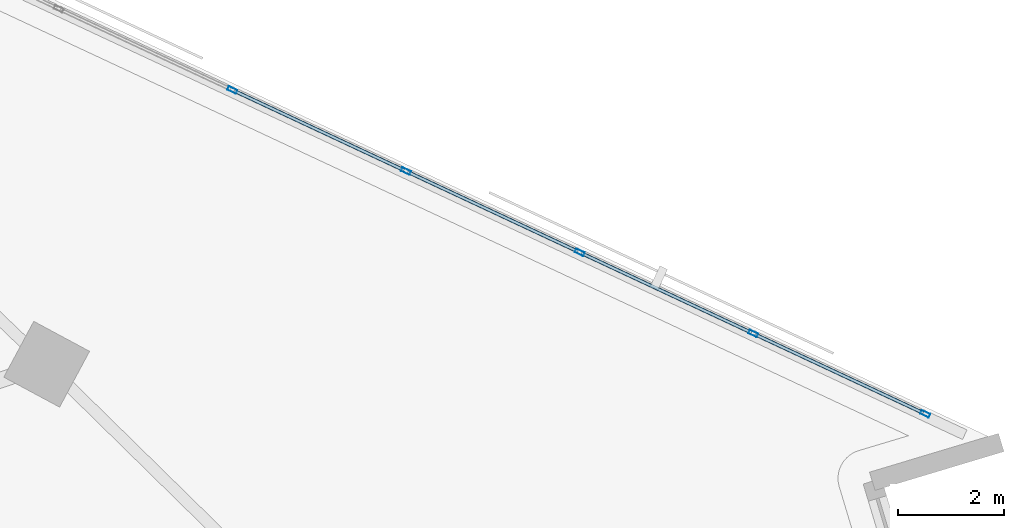
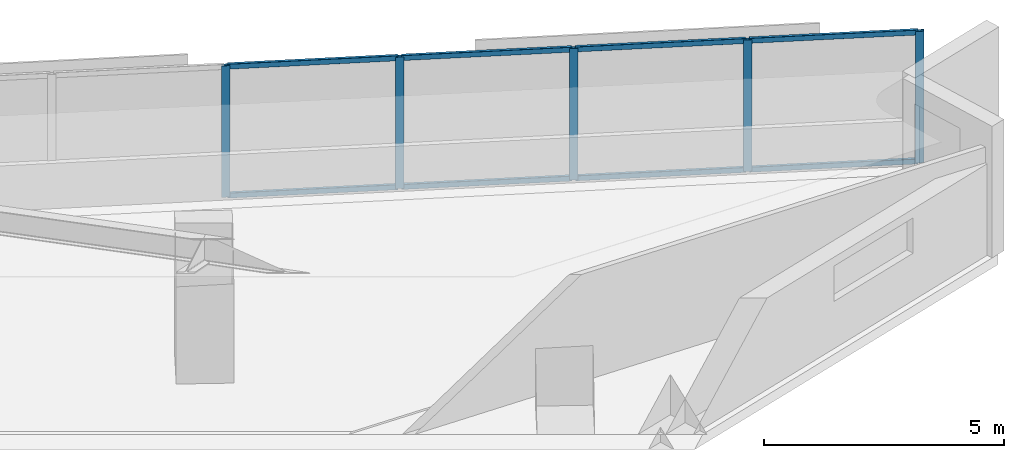
# One storey, part 5 of 16: 13 members, 1 element without a shape of its own.
"""IFC4 building model written with IfcOpenShell, lengths in metres."""

from ifc_helpers import new_model, si_unit, direction, frame, origin, origin_2d, place, context, subcontext, project, spatial, hollow_rectangle, extrude, material, material_profile, profile_set, type_object, element, aggregate, save


model = new_model("IFC4")

# Units and contexts
model_context = context("Model", 3, precision=1e-05, world=origin(), true_north=direction((0.0, 1.0)))
body_context = subcontext(model_context, "Body", "Model", "MODEL_VIEW")
ifc_project = project(units=[si_unit("LENGTHUNIT", "METRE"), si_unit("AREAUNIT", "SQUARE_METRE"), si_unit("VOLUMEUNIT", "CUBIC_METRE"), si_unit("PLANEANGLEUNIT", "RADIAN"), si_unit("MASSUNIT", "GRAM", prefix="KILO")], contexts=[model_context])

# Site, building, storey
site_placement = place(None, origin())
site = spatial("IfcSite", under=ifc_project, at=site_placement, CompositionType="ELEMENT")
building_placement = place(site_placement, origin())
building = spatial("IfcBuilding", under=site, at=building_placement, Name="Narakoshi Arena Tower", CompositionType="ELEMENT")
storey_placement = place(building_placement, frame((0.0, 0.0, 153.89990234375)))
storey = spatial("IfcBuildingStorey", under=building, at=storey_placement, Name="L41", CompositionType="ELEMENT", Elevation=153.89990234375)

# Curtain wall, members
ifc_material = material(Name="Anodised bronze aluminium 6063-T6", Category="aluminium")
curtain_wall_type = type_object("IfcCurtainWallType", Name="CW-HYP-MID", PredefinedType="NOTDEFINED", material=ifc_material)
curtain_wall_placement = place(storey_placement, origin())
curtain_wall = element("IfcCurtainWall", 1, at=curtain_wall_placement, inside=storey, type_object=curtain_wall_type, Name="L41 Folded Hypotenuse Curtain Wall 1-1", PredefinedType="NOTDEFINED")
ifc_material_profile_1 = material_profile(ifc_material, hollow_rectangle(XDim=0.074951171875, YDim=0.179931640625, WallThickness=0.00390625, OuterFilletRadius=0.0048828125, at=origin_2d()), Name="MUL180x75x4")
ifc_profile_set_1 = profile_set([ifc_material_profile_1], Name="Anodised bronze aluminium 6063-T6")
member_type_1 = type_object("IfcMemberType", Name="MEM-MUL-180", PredefinedType="MULLION", material=ifc_profile_set_1)
member_1_placement = place(storey_placement, frame((119.174072265625, 48.238525390625, 0.0), z_axis=(0.0, 0.0, 1.0), x_axis=(-0.423531721612, -0.905881273009, 0.0)))
member_1 = element("IfcMember", 2, at=member_1_placement, type_object=member_type_1, Name="CW-02 mullion 1", PredefinedType="MULLION", context=body_context, shape_type="SweptSolid", body=[
    extrude(hollow_rectangle(XDim=0.074951171875, YDim=0.179931640625, WallThickness=0.00390625, OuterFilletRadius=0.0048828125, at=origin_2d()), origin(), (0.0, 0.0, 1.0), 3.340087890625),
])
member_2_placement = place(storey_placement, frame((115.91650390625, 49.761474609375, 0.0), z_axis=(0.0, 0.0, 1.0), x_axis=(-0.423531721612, -0.905881273009, 0.0)))
member_2 = element("IfcMember", 3, at=member_2_placement, type_object=member_type_1, Name="CW-02 mullion 2", PredefinedType="MULLION", context=body_context, shape_type="SweptSolid", body=[
    extrude(hollow_rectangle(XDim=0.074951171875, YDim=0.179931640625, WallThickness=0.00390625, OuterFilletRadius=0.0048828125, at=origin_2d()), origin(), (0.0, 0.0, 1.0), 3.340087890625),
])
member_3_placement = place(storey_placement, frame((112.625, 51.300537109375, 0.0), z_axis=(0.0, 0.0, 1.0), x_axis=(-0.423531721612, -0.905881273009, 0.0)))
member_3 = element("IfcMember", 4, at=member_3_placement, type_object=member_type_1, Name="CW-02 mullion 3", PredefinedType="MULLION", context=body_context, shape_type="SweptSolid", body=[
    extrude(hollow_rectangle(XDim=0.074951171875, YDim=0.179931640625, WallThickness=0.00390625, OuterFilletRadius=0.0048828125, at=origin_2d()), origin(), (0.0, 0.0, 1.0), 3.340087890625),
])
member_4_placement = place(storey_placement, frame((109.33349609375, 52.83935546875, 0.0), z_axis=(0.0, 0.0, 1.0), x_axis=(-0.423531721612, -0.905881273009, 0.0)))
member_4 = element("IfcMember", 5, at=member_4_placement, type_object=member_type_1, Name="CW-02 mullion 4", PredefinedType="MULLION", context=body_context, shape_type="SweptSolid", body=[
    extrude(hollow_rectangle(XDim=0.074951171875, YDim=0.179931640625, WallThickness=0.00390625, OuterFilletRadius=0.0048828125, at=origin_2d()), origin(), (0.0, 0.0, 1.0), 3.340087890625),
])
member_5_placement = place(storey_placement, frame((106.0419921875, 54.378173828125, 0.0), z_axis=(0.0, 0.0, 1.0), x_axis=(-0.423531721612, -0.905881273009, 0.0)))
member_5 = element("IfcMember", 6, at=member_5_placement, type_object=member_type_1, Name="CW-02 mullion 5", PredefinedType="MULLION", context=body_context, shape_type="SweptSolid", body=[
    extrude(hollow_rectangle(XDim=0.074951171875, YDim=0.179931640625, WallThickness=0.00390625, OuterFilletRadius=0.0048828125, at=origin_2d()), origin(), (0.0, 0.0, 1.0), 3.340087890625),
])
ifc_material_profile_2 = material_profile(ifc_material, hollow_rectangle(XDim=0.06494140625, YDim=0.1298828125, WallThickness=0.00390625, OuterFilletRadius=0.0048828125, at=origin_2d()), Name="TRN130x65x4")
ifc_profile_set_2 = profile_set([ifc_material_profile_2], Name="Anodised bronze aluminium 6063-T6")
member_type_2 = type_object("IfcMemberType", Name="MEM-TRN-130", PredefinedType="USERDEFINED", material=ifc_profile_set_2)
member_6_placement = place(storey_placement, frame((119.14013671875, 48.25439453125, 0.03271484375), z_axis=(-0.905890644442, 0.423511676713, 0.0), x_axis=(-0.423511676713, -0.905890644442, 0.0)))
member_6 = element("IfcMember", 7, at=member_6_placement, type_object=member_type_2, Name="CW-02 transom 1.1", ObjectType="TRANSOM", PredefinedType="USERDEFINED", context=body_context, shape_type="SweptSolid", body=[
    extrude(hollow_rectangle(XDim=0.06494140625, YDim=0.1298828125, WallThickness=0.00390625, OuterFilletRadius=0.0048828125, at=origin_2d()), origin(), (0.0, 0.0, 1.0), 3.52099609375),
])
member_7_placement = place(storey_placement, frame((119.14013671875, 48.25439453125, 3.3076171875), z_axis=(-0.905890644442, 0.423511676713, 0.0), x_axis=(-0.423511676713, -0.905890644442, 0.0)))
member_7 = element("IfcMember", 8, at=member_7_placement, type_object=member_type_2, Name="CW-02 transom 1.2", ObjectType="TRANSOM", PredefinedType="USERDEFINED", context=body_context, shape_type="SweptSolid", body=[
    extrude(hollow_rectangle(XDim=0.06494140625, YDim=0.1298828125, WallThickness=0.00390625, OuterFilletRadius=0.0048828125, at=origin_2d()), origin(), (0.0, 0.0, 1.0), 3.52099609375),
])
member_8_placement = place(storey_placement, frame((115.882568359375, 49.777587890625, 0.03271484375), z_axis=(-0.905890215319, 0.423512594605, 0.0), x_axis=(-0.423512594605, -0.905890215319, 0.0)))
member_8 = element("IfcMember", 9, at=member_8_placement, type_object=member_type_2, Name="CW-02 transom 2.1", ObjectType="TRANSOM", PredefinedType="USERDEFINED", context=body_context, shape_type="SweptSolid", body=[
    extrude(hollow_rectangle(XDim=0.06494140625, YDim=0.1298828125, WallThickness=0.00390625, OuterFilletRadius=0.0048828125, at=origin_2d()), origin(), (0.0, 0.0, 1.0), 3.55859375),
])
member_9_placement = place(storey_placement, frame((115.882568359375, 49.777587890625, 3.3076171875), z_axis=(-0.905890215319, 0.423512594605, 0.0), x_axis=(-0.423512594605, -0.905890215319, 0.0)))
member_9 = element("IfcMember", 10, at=member_9_placement, type_object=member_type_2, Name="CW-02 transom 2.2", ObjectType="TRANSOM", PredefinedType="USERDEFINED", context=body_context, shape_type="SweptSolid", body=[
    extrude(hollow_rectangle(XDim=0.06494140625, YDim=0.1298828125, WallThickness=0.00390625, OuterFilletRadius=0.0048828125, at=origin_2d()), origin(), (0.0, 0.0, 1.0), 3.55859375),
])
member_10_placement = place(storey_placement, frame((112.591064453125, 51.31640625, 0.03271484375), z_axis=(-0.905890215319, 0.423512594605, 0.0), x_axis=(-0.423512594605, -0.905890215319, 0.0)))
member_10 = element("IfcMember", 11, at=member_10_placement, type_object=member_type_2, Name="CW-02 transom 3.1", ObjectType="TRANSOM", PredefinedType="USERDEFINED", context=body_context, shape_type="SweptSolid", body=[
    extrude(hollow_rectangle(XDim=0.06494140625, YDim=0.1298828125, WallThickness=0.00390625, OuterFilletRadius=0.0048828125, at=origin_2d()), origin(), (0.0, 0.0, 1.0), 3.55859375),
])
member_11_placement = place(storey_placement, frame((112.591064453125, 51.31640625, 3.3076171875), z_axis=(-0.905890215319, 0.423512594605, 0.0), x_axis=(-0.423512594605, -0.905890215319, 0.0)))
member_11 = element("IfcMember", 12, at=member_11_placement, type_object=member_type_2, Name="CW-02 transom 3.2", ObjectType="TRANSOM", PredefinedType="USERDEFINED", context=body_context, shape_type="SweptSolid", body=[
    extrude(hollow_rectangle(XDim=0.06494140625, YDim=0.1298828125, WallThickness=0.00390625, OuterFilletRadius=0.0048828125, at=origin_2d()), origin(), (0.0, 0.0, 1.0), 3.55859375),
])
member_12_placement = place(storey_placement, frame((109.299560546875, 52.855224609375, 0.03271484375), z_axis=(-0.905890215319, 0.423512594605, 0.0), x_axis=(-0.423512594605, -0.905890215319, 0.0)))
member_12 = element("IfcMember", 13, at=member_12_placement, type_object=member_type_2, Name="CW-02 transom 4.1", ObjectType="TRANSOM", PredefinedType="USERDEFINED", context=body_context, shape_type="SweptSolid", body=[
    extrude(hollow_rectangle(XDim=0.06494140625, YDim=0.1298828125, WallThickness=0.00390625, OuterFilletRadius=0.0048828125, at=origin_2d()), origin(), (0.0, 0.0, 1.0), 3.55859375),
])
member_13_placement = place(storey_placement, frame((109.299560546875, 52.855224609375, 3.3076171875), z_axis=(-0.905890215319, 0.423512594605, 0.0), x_axis=(-0.423512594605, -0.905890215319, 0.0)))
member_13 = element("IfcMember", 14, at=member_13_placement, type_object=member_type_2, Name="CW-02 transom 4.2", ObjectType="TRANSOM", PredefinedType="USERDEFINED", context=body_context, shape_type="SweptSolid", body=[
    extrude(hollow_rectangle(XDim=0.06494140625, YDim=0.1298828125, WallThickness=0.00390625, OuterFilletRadius=0.0048828125, at=origin_2d()), origin(), (0.0, 0.0, 1.0), 3.55859375),
])
aggregate(curtain_wall, [member_1, member_2, member_3, member_4, member_5, member_6, member_7, member_8, member_9, member_10, member_11, member_12, member_13])

save(model, "model.ifc")
